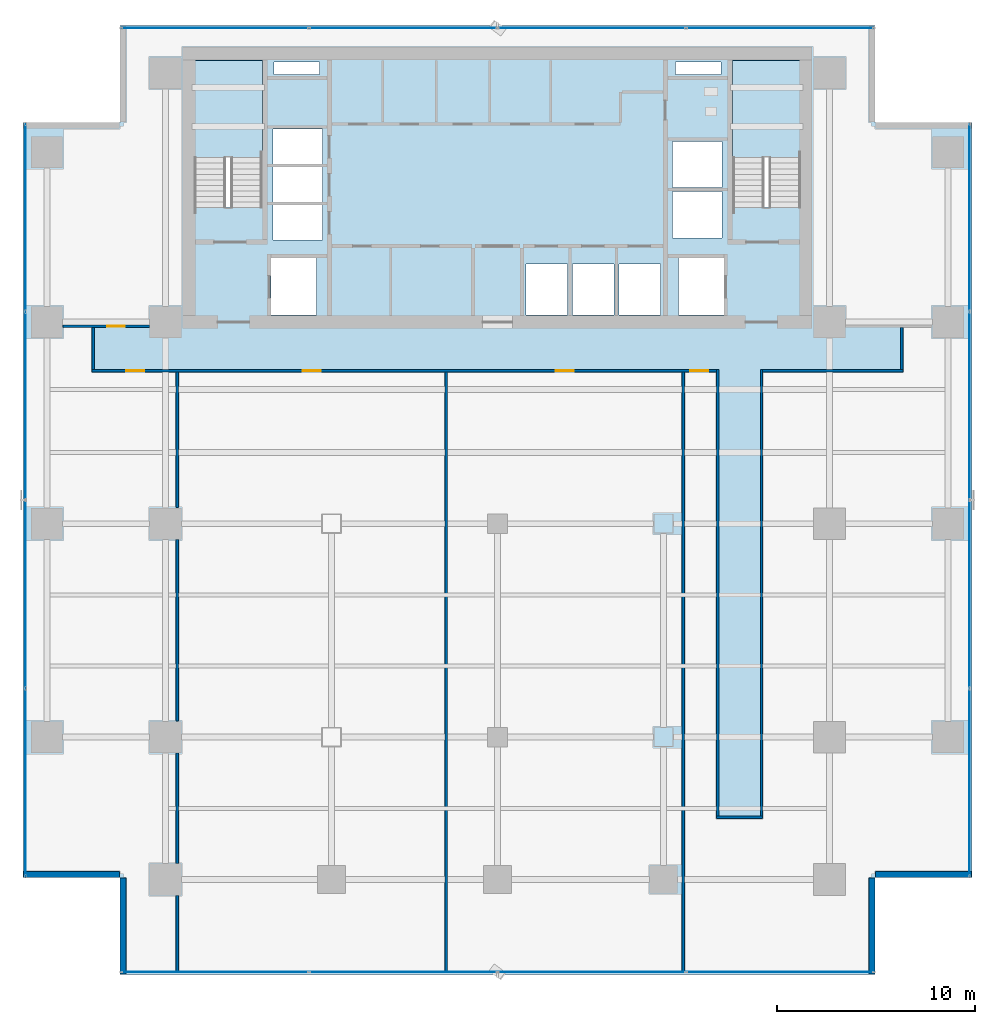
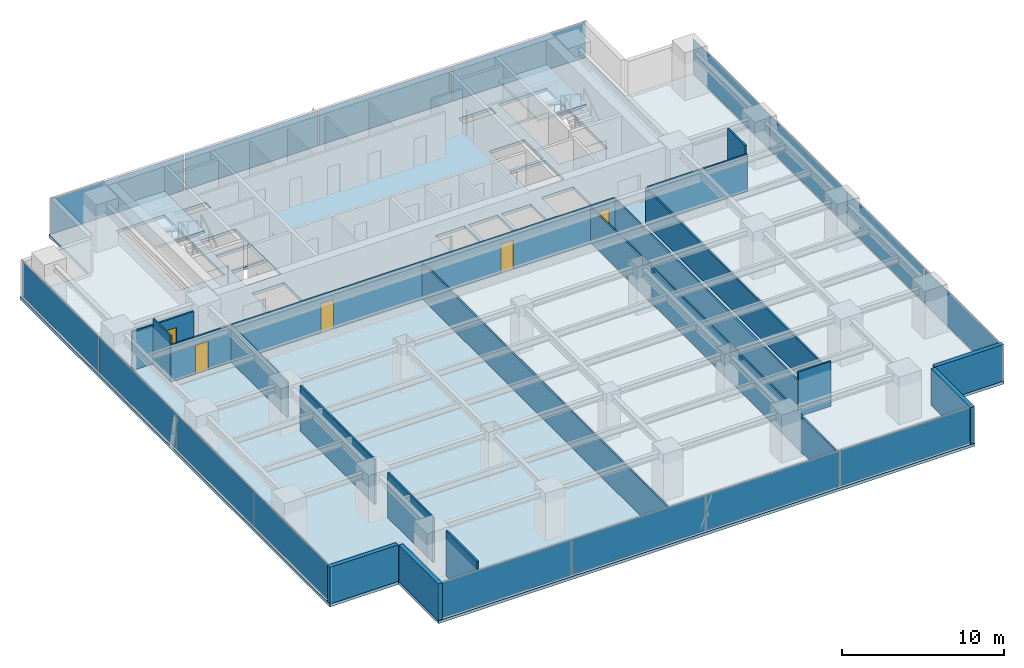
# One storey, part 20 of 27: 18 walls, 16 plates, 5 doors, 3 slabs, 5 openings, 6 elements without a shape of their own.
"""IFC4 building model written with IfcOpenShell, lengths in metres."""

from ifc_helpers import new_model, si_unit, direction, frame, frame_2d, origin, origin_2d, place, context, subcontext, project, spatial, polyline, rectangle, outline, extrude, source, transform, mapped, material, layer, layer_set, type_object, element, fill, aggregate, save


model = new_model("IFC4")

# Units and contexts
model_context = context("Model", 3, precision=1e-05, world=origin(), true_north=direction((0.0, 1.0)))
body_context = subcontext(model_context, "Body", "Model", "MODEL_VIEW")
ifc_project = project(units=[si_unit("LENGTHUNIT", "METRE"), si_unit("AREAUNIT", "SQUARE_METRE"), si_unit("VOLUMEUNIT", "CUBIC_METRE"), si_unit("PLANEANGLEUNIT", "RADIAN"), si_unit("MASSUNIT", "GRAM", prefix="KILO")], contexts=[model_context])

# Site, building, storey
site_placement = place(None, origin())
site = spatial("IfcSite", under=ifc_project, at=site_placement, CompositionType="ELEMENT")
building_placement = place(site_placement, origin())
building = spatial("IfcBuilding", under=site, at=building_placement, Name="Sumidabori Civic Tower", CompositionType="ELEMENT")
storey_placement = place(building_placement, frame((0.0, 0.0, 135.199951171875)))
storey = spatial("IfcBuildingStorey", under=building, at=storey_placement, Name="L34", CompositionType="ELEMENT", Elevation=135.199951171875)

# Stair, slab
ifc_material_1 = material(Name="Concrete C40/50", Category="concrete")
stair_type = type_object("IfcStairType", Name="ST-CORE-1600", PredefinedType="HALF_TURN_STAIR", material=ifc_material_1)
stair_1_placement = place(storey_placement, origin())
stair_1 = element("IfcStair", 1, at=stair_1_placement, inside=storey, type_object=stair_type, Name="L34 ST-1", PredefinedType="HALF_TURN_STAIR")
ifc_layer_1 = layer(ifc_material_1, 0.199951171875, Name="Concrete C40/50")
ifc_layer_set_1 = layer_set([ifc_layer_1], Name="Concrete C40/50")
slab_type_1 = type_object("IfcSlabType", Name="SL-LAND-200", PredefinedType="LANDING", material=ifc_layer_set_1)
slab_1_placement = place(storey_placement, frame((0.0, 0.0, 1.60009765625)))
slab_1 = element("IfcSlab", 2, at=slab_1_placement, type_object=slab_type_1, Name="ST-1 landing 1", PredefinedType="LANDING", context=body_context, shape_type="SweptSolid", body=[
    extrude(outline(polyline([(-11.89990234375, 18.52001953125), (-11.89990234375, 23.449951171875), (-15.340087890625, 23.449951171875), (-15.340087890625, 18.52001953125), (-11.89990234375, 18.52001953125)])), origin(), (0.0, 0.0, 1.0), 0.199951171875),
])
aggregate(stair_1, [slab_1])

stair_2_placement = place(storey_placement, origin())
stair_2 = element("IfcStair", 3, at=stair_2_placement, inside=storey, type_object=stair_type, Name="L34 ST-2", PredefinedType="HALF_TURN_STAIR")
slab_2_placement = place(storey_placement, frame((0.0, 0.0, 1.60009765625)))
slab_2 = element("IfcSlab", 4, at=slab_2_placement, type_object=slab_type_1, Name="ST-2 landing 1", PredefinedType="LANDING", context=body_context, shape_type="SweptSolid", body=[
    extrude(outline(polyline([(15.340087890625, 18.52001953125), (15.340087890625, 23.449951171875), (11.89990234375, 23.449951171875), (11.89990234375, 18.52001953125), (15.340087890625, 18.52001953125)])), origin(), (0.0, 0.0, 1.0), 0.199951171875),
])
aggregate(stair_2, [slab_2])

# Slab
ifc_layer_2 = layer(ifc_material_1, 0.219970703125, Name="Concrete C40/50")
ifc_layer_set_2 = layer_set([ifc_layer_2], Name="Concrete C40/50")
slab_type_2 = type_object("IfcSlabType", Name="SL-Z3-220", PredefinedType="FLOOR", material=ifc_layer_set_2)
slab_3_placement = place(storey_placement, frame((0.0, 0.0, -0.219970703125)))
element("IfcSlab", 5, at=slab_3_placement, inside=storey, type_object=slab_type_2, Name="Structural Slab L34", PredefinedType="FLOOR", context=body_context, shape_type="SweptSolid", body=[
    extrude(outline(polyline([(-19.10009765625, -22.800048828125), (19.10009765625, -22.800048828125), (19.10009765625, -17.89990234375), (24.0, -17.89990234375), (24.0, 20.300048828125), (19.10009765625, 20.300048828125), (19.10009765625, 25.199951171875), (-19.10009765625, 25.199951171875), (-19.10009765625, 20.300048828125), (-24.0, 20.300048828125), (-24.0, -17.89990234375), (-19.10009765625, -17.89990234375), (-19.10009765625, -22.800048828125)]), holes=[polyline([(-11.89990234375, 16.0), (-11.89990234375, 23.449951171875), (-15.340087890625, 23.449951171875), (-15.340087890625, 16.0), (-11.89990234375, 16.0)]), polyline([(15.340087890625, 16.0), (15.340087890625, 23.449951171875), (11.89990234375, 23.449951171875), (11.89990234375, 16.0), (15.340087890625, 16.0)]), polyline([(-11.449951171875, 10.550048828125), (-9.14990234375, 10.550048828125), (-9.14990234375, 13.449951171875), (-11.449951171875, 13.449951171875), (-11.449951171875, 10.550048828125)]), polyline([(9.14990234375, 10.550048828125), (11.449951171875, 10.550048828125), (11.449951171875, 13.449951171875), (9.14990234375, 13.449951171875), (9.14990234375, 10.550048828125)]), polyline([(1.449951171875, 10.550048828125), (3.550048828125, 10.550048828125), (3.550048828125, 13.14990234375), (1.449951171875, 13.14990234375), (1.449951171875, 10.550048828125)]), polyline([(3.800048828125, 10.550048828125), (5.89990234375, 10.550048828125), (5.89990234375, 13.14990234375), (3.800048828125, 13.14990234375), (3.800048828125, 10.550048828125)]), polyline([(6.14990234375, 10.550048828125), (8.25, 10.550048828125), (8.25, 13.14990234375), (6.14990234375, 13.14990234375), (6.14990234375, 10.550048828125)]), polyline([(-11.35009765625, 14.35009765625), (-8.85009765625, 14.35009765625), (-8.85009765625, 16.1201171875), (-11.35009765625, 16.1201171875), (-11.35009765625, 14.35009765625)]), polyline([(-11.35009765625, 16.27001953125), (-8.85009765625, 16.27001953125), (-8.85009765625, 18.0400390625), (-11.35009765625, 18.0400390625), (-11.35009765625, 16.27001953125)]), polyline([(-11.35009765625, 18.18994140625), (-8.85009765625, 18.18994140625), (-8.85009765625, 19.9599609375), (-11.35009765625, 19.9599609375), (-11.35009765625, 18.18994140625)]), polyline([(8.85009765625, 14.449951171875), (11.35009765625, 14.449951171875), (11.35009765625, 16.800048828125), (8.85009765625, 16.800048828125), (8.85009765625, 14.449951171875)]), polyline([(8.85009765625, 17.0), (11.35009765625, 17.0), (11.35009765625, 19.35009765625), (8.85009765625, 19.35009765625), (8.85009765625, 17.0)]), polyline([(-11.300048828125, 22.719970703125), (-9.0, 22.719970703125), (-9.0, 23.35009765625), (-11.300048828125, 23.35009765625), (-11.300048828125, 22.719970703125)]), polyline([(9.0, 22.719970703125), (11.300048828125, 22.719970703125), (11.300048828125, 23.35009765625), (9.0, 23.35009765625), (9.0, 22.719970703125)])]), origin(), (0.0, 0.0, 1.0), 0.219970703125),
])

# Curtain wall, plates
ifc_material_2 = material(Name="Anodised Bronze Aluminium AW-6063-T6", Category="aluminium")
ifc_layer_3 = layer(ifc_material_2, 0.179931640625, Name="Anodised Bronze Aluminium AW-6063-T6")
ifc_layer_set_3 = layer_set([ifc_layer_3], Name="Anodised Bronze Aluminium AW-6063-T6")
curtain_wall_type = type_object("IfcCurtainWallType", Name="CW-SYS-3", PredefinedType="NOTDEFINED", material=ifc_layer_set_3)
curtain_wall_1_placement = place(storey_placement, origin())
curtain_wall_1 = element("IfcCurtainWall", 6, at=curtain_wall_1_placement, inside=storey, type_object=curtain_wall_type, Name="Curtain Wall CW:L34:R01", PredefinedType="NOTDEFINED")
ifc_material_3 = material(Name="Low-E Solar-Control Vision Glazing", Category="glass")
ifc_layer_4 = layer(ifc_material_3, 0.028076171875, Name="Low-E Solar-Control Vision Glazing")
ifc_layer_set_4 = layer_set([ifc_layer_4], Name="Low-E Solar-Control Vision Glazing")
plate_type = type_object("IfcPlateType", Name="CW-PNL-28", PredefinedType="CURTAIN_PANEL", material=ifc_layer_set_4)
shared_shape_1 = source(origin(), body_context, "Body", "SweptSolid", [
    extrude(rectangle(XDim=9.4375, YDim=0.028076171875, at=origin_2d()), origin(), (0.0, 0.0, 1.0), 2.639892578125),
])
plate_1_placement = place(storey_placement, frame((-14.2861328125, -22.679931640625, 0.06005859375), z_axis=(0.0, 0.0, 1.0), x_axis=(1.0, 0.0, 0.0)))
plate_1 = element("IfcPlate", 7, at=plate_1_placement, type_object=plate_type, Name="CW-3 panel 1.1", PredefinedType="CURTAIN_PANEL", context=body_context, shape_type="MappedRepresentation", body=[
    mapped(shared_shape_1, transform((0.0, 0.0, 0.0), x_axis=(1.0, 0.0, 0.0), y_axis=(0.0, 1.0, 0.0), z_axis=(0.0, 0.0, 1.0), scale=1.0)),
])
plate_2_placement = place(storey_placement, frame((14.2861328125, -22.679931640625, 0.06005859375), z_axis=(0.0, 0.0, 1.0), x_axis=(1.0, 0.0, 0.0)))
plate_2 = element("IfcPlate", 8, at=plate_2_placement, type_object=plate_type, Name="CW-3 panel 4.1", PredefinedType="CURTAIN_PANEL", context=body_context, shape_type="MappedRepresentation", body=[
    mapped(shared_shape_1, transform((0.0, 0.0, 0.0), x_axis=(1.0, 0.0, 0.0), y_axis=(0.0, 1.0, 0.0), z_axis=(0.0, 0.0, 1.0), scale=1.0)),
])

curtain_wall_2_placement = place(storey_placement, origin())
curtain_wall_2 = element("IfcCurtainWall", 9, at=curtain_wall_2_placement, inside=storey, type_object=curtain_wall_type, Name="Curtain Wall CW:L34:R04", PredefinedType="NOTDEFINED")
plate_3_placement = place(storey_placement, frame((23.8798828125, -13.086181640625, 0.06005859375), z_axis=(0.0, 0.0, 1.0), x_axis=(0.0, 1.0, 0.0)))
plate_3 = element("IfcPlate", 10, at=plate_3_placement, type_object=plate_type, Name="CW-3 panel 1.1", PredefinedType="CURTAIN_PANEL", context=body_context, shape_type="MappedRepresentation", body=[
    mapped(shared_shape_1, transform((0.0, 0.0, 0.0), x_axis=(1.0, 0.0, 0.0), y_axis=(0.0, 1.0, 0.0), z_axis=(0.0, 0.0, 1.0), scale=1.0)),
])
plate_4_placement = place(storey_placement, frame((23.8798828125, 15.486328125, 0.06005859375), z_axis=(0.0, 0.0, 1.0), x_axis=(0.0, 1.0, 0.0)))
plate_4 = element("IfcPlate", 11, at=plate_4_placement, type_object=plate_type, Name="CW-3 panel 4.1", PredefinedType="CURTAIN_PANEL", context=body_context, shape_type="MappedRepresentation", body=[
    mapped(shared_shape_1, transform((0.0, 0.0, 0.0), x_axis=(1.0, 0.0, 0.0), y_axis=(0.0, 1.0, 0.0), z_axis=(0.0, 0.0, 1.0), scale=1.0)),
])

curtain_wall_3_placement = place(storey_placement, origin())
curtain_wall_3 = element("IfcCurtainWall", 12, at=curtain_wall_3_placement, inside=storey, type_object=curtain_wall_type, Name="Curtain Wall CW:L34:R07", PredefinedType="NOTDEFINED")
plate_5_placement = place(storey_placement, frame((14.2861328125, 25.080078125, 0.06005859375), z_axis=(0.0, 0.0, 1.0), x_axis=(-1.0, 0.0, 0.0)))
plate_5 = element("IfcPlate", 13, at=plate_5_placement, type_object=plate_type, Name="CW-3 panel 1.1", PredefinedType="CURTAIN_PANEL", context=body_context, shape_type="MappedRepresentation", body=[
    mapped(shared_shape_1, transform((0.0, 0.0, 0.0), x_axis=(1.0, 0.0, 0.0), y_axis=(0.0, 1.0, 0.0), z_axis=(0.0, 0.0, 1.0), scale=1.0)),
])
plate_6_placement = place(storey_placement, frame((-14.2861328125, 25.080078125, 0.06005859375), z_axis=(0.0, 0.0, 1.0), x_axis=(-1.0, 0.0, 0.0)))
plate_6 = element("IfcPlate", 14, at=plate_6_placement, type_object=plate_type, Name="CW-3 panel 4.1", PredefinedType="CURTAIN_PANEL", context=body_context, shape_type="MappedRepresentation", body=[
    mapped(shared_shape_1, transform((0.0, 0.0, 0.0), x_axis=(1.0, 0.0, 0.0), y_axis=(0.0, 1.0, 0.0), z_axis=(0.0, 0.0, 1.0), scale=1.0)),
])

curtain_wall_4_placement = place(storey_placement, origin())
curtain_wall_4 = element("IfcCurtainWall", 15, at=curtain_wall_4_placement, inside=storey, type_object=curtain_wall_type, Name="Curtain Wall CW:L34:R10", PredefinedType="NOTDEFINED")
plate_7_placement = place(storey_placement, frame((-23.8798828125, 15.486328125, 0.06005859375), z_axis=(0.0, 0.0, 1.0), x_axis=(0.0, -1.0, 0.0)))
plate_7 = element("IfcPlate", 16, at=plate_7_placement, type_object=plate_type, Name="CW-3 panel 1.1", PredefinedType="CURTAIN_PANEL", context=body_context, shape_type="MappedRepresentation", body=[
    mapped(shared_shape_1, transform((0.0, 0.0, 0.0), x_axis=(1.0, 0.0, 0.0), y_axis=(0.0, 1.0, 0.0), z_axis=(0.0, 0.0, 1.0), scale=1.0)),
])
plate_8_placement = place(storey_placement, frame((-23.8798828125, -13.086181640625, 0.06005859375), z_axis=(0.0, 0.0, 1.0), x_axis=(0.0, -1.0, 0.0)))
plate_8 = element("IfcPlate", 17, at=plate_8_placement, type_object=plate_type, Name="CW-3 panel 4.1", PredefinedType="CURTAIN_PANEL", context=body_context, shape_type="MappedRepresentation", body=[
    mapped(shared_shape_1, transform((0.0, 0.0, 0.0), x_axis=(1.0, 0.0, 0.0), y_axis=(0.0, 1.0, 0.0), z_axis=(0.0, 0.0, 1.0), scale=1.0)),
])

# Plate
shared_shape_2 = source(origin(), body_context, "Body", "SweptSolid", [
    extrude(rectangle(XDim=9.469970703125, YDim=0.028076171875, at=origin_2d()), origin(), (0.0, 0.0, 1.0), 2.639892578125),
])
plate_9_placement = place(storey_placement, frame((-4.767578125, -22.679931640625, 0.06005859375), z_axis=(0.0, 0.0, 1.0), x_axis=(1.0, 0.0, 0.0)))
plate_9 = element("IfcPlate", 18, at=plate_9_placement, type_object=plate_type, Name="CW-3 panel 2.1", PredefinedType="CURTAIN_PANEL", context=body_context, shape_type="MappedRepresentation", body=[
    mapped(shared_shape_2, transform((0.0, 0.0, 0.0), x_axis=(1.0, 0.0, 0.0), y_axis=(0.0, 1.0, 0.0), z_axis=(0.0, 0.0, 1.0), scale=1.0)),
])

plate_10_placement = place(storey_placement, frame((4.767578125, -22.679931640625, 0.06005859375), z_axis=(0.0, 0.0, 1.0), x_axis=(1.0, 0.0, 0.0)))
plate_10 = element("IfcPlate", 19, at=plate_10_placement, type_object=plate_type, Name="CW-3 panel 3.1", PredefinedType="CURTAIN_PANEL", context=body_context, shape_type="MappedRepresentation", body=[
    mapped(shared_shape_2, transform((0.0, 0.0, 0.0), x_axis=(1.0, 0.0, 0.0), y_axis=(0.0, 1.0, 0.0), z_axis=(0.0, 0.0, 1.0), scale=1.0)),
])

aggregate(curtain_wall_1, [plate_1, plate_9, plate_10, plate_2])

plate_11_placement = place(storey_placement, frame((23.8798828125, -3.5673828125, 0.06005859375), z_axis=(0.0, 0.0, 1.0), x_axis=(0.0, 1.0, 0.0)))
plate_11 = element("IfcPlate", 20, at=plate_11_placement, type_object=plate_type, Name="CW-3 panel 2.1", PredefinedType="CURTAIN_PANEL", context=body_context, shape_type="MappedRepresentation", body=[
    mapped(shared_shape_2, transform((0.0, 0.0, 0.0), x_axis=(1.0, 0.0, 0.0), y_axis=(0.0, 1.0, 0.0), z_axis=(0.0, 0.0, 1.0), scale=1.0)),
])

plate_12_placement = place(storey_placement, frame((23.8798828125, 5.967529296875, 0.06005859375), z_axis=(0.0, 0.0, 1.0), x_axis=(0.0, 1.0, 0.0)))
plate_12 = element("IfcPlate", 21, at=plate_12_placement, type_object=plate_type, Name="CW-3 panel 3.1", PredefinedType="CURTAIN_PANEL", context=body_context, shape_type="MappedRepresentation", body=[
    mapped(shared_shape_2, transform((0.0, 0.0, 0.0), x_axis=(1.0, 0.0, 0.0), y_axis=(0.0, 1.0, 0.0), z_axis=(0.0, 0.0, 1.0), scale=1.0)),
])

aggregate(curtain_wall_2, [plate_3, plate_11, plate_12, plate_4])

plate_13_placement = place(storey_placement, frame((4.767578125, 25.080078125, 0.06005859375), z_axis=(0.0, 0.0, 1.0), x_axis=(-1.0, 0.0, 0.0)))
plate_13 = element("IfcPlate", 22, at=plate_13_placement, type_object=plate_type, Name="CW-3 panel 2.1", PredefinedType="CURTAIN_PANEL", context=body_context, shape_type="MappedRepresentation", body=[
    mapped(shared_shape_2, transform((0.0, 0.0, 0.0), x_axis=(1.0, 0.0, 0.0), y_axis=(0.0, 1.0, 0.0), z_axis=(0.0, 0.0, 1.0), scale=1.0)),
])

plate_14_placement = place(storey_placement, frame((-4.767578125, 25.080078125, 0.06005859375), z_axis=(0.0, 0.0, 1.0), x_axis=(-1.0, 0.0, 0.0)))
plate_14 = element("IfcPlate", 23, at=plate_14_placement, type_object=plate_type, Name="CW-3 panel 3.1", PredefinedType="CURTAIN_PANEL", context=body_context, shape_type="MappedRepresentation", body=[
    mapped(shared_shape_2, transform((0.0, 0.0, 0.0), x_axis=(1.0, 0.0, 0.0), y_axis=(0.0, 1.0, 0.0), z_axis=(0.0, 0.0, 1.0), scale=1.0)),
])

aggregate(curtain_wall_3, [plate_5, plate_13, plate_14, plate_6])

plate_15_placement = place(storey_placement, frame((-23.8798828125, 5.967529296875, 0.06005859375), z_axis=(0.0, 0.0, 1.0), x_axis=(0.0, -1.0, 0.0)))
plate_15 = element("IfcPlate", 24, at=plate_15_placement, type_object=plate_type, Name="CW-3 panel 2.1", PredefinedType="CURTAIN_PANEL", context=body_context, shape_type="MappedRepresentation", body=[
    mapped(shared_shape_2, transform((0.0, 0.0, 0.0), x_axis=(1.0, 0.0, 0.0), y_axis=(0.0, 1.0, 0.0), z_axis=(0.0, 0.0, 1.0), scale=1.0)),
])

plate_16_placement = place(storey_placement, frame((-23.8798828125, -3.5673828125, 0.06005859375), z_axis=(0.0, 0.0, 1.0), x_axis=(0.0, -1.0, 0.0)))
plate_16 = element("IfcPlate", 25, at=plate_16_placement, type_object=plate_type, Name="CW-3 panel 3.1", PredefinedType="CURTAIN_PANEL", context=body_context, shape_type="MappedRepresentation", body=[
    mapped(shared_shape_2, transform((0.0, 0.0, 0.0), x_axis=(1.0, 0.0, 0.0), y_axis=(0.0, 1.0, 0.0), z_axis=(0.0, 0.0, 1.0), scale=1.0)),
])

aggregate(curtain_wall_4, [plate_7, plate_15, plate_16, plate_8])

# Walls
ifc_material_4 = material(Name="Precast concrete C40/50", Category="concrete")
ifc_layer_5 = layer(ifc_material_4, 0.300048828125, Name="Precast concrete C40/50")
ifc_layer_set_5 = layer_set([ifc_layer_5], Name="Precast concrete C40/50")
wall_type_1 = type_object("IfcWallType", Name="WL-EXT-POD300", PredefinedType="STANDARD", material=ifc_layer_set_5)
shared_shape_3 = source(origin(), body_context, "Body", "SweptSolid", [
    extrude(rectangle(XDim=4.860107421875, YDim=0.300048828125, at=frame_2d((2.43017578125, 0.0))), origin(), (0.0, 0.0, 1.0), 2.760009765625),
])
for number, where, z_axis, x_axis, name in (
    (26, (18.949951171875, -22.780029296875, 0.0), (0.0, 0.0, 1.0), (0.0, 1.0, 0.0), "Notched Corner Spandrel Band L34-02"),
    (27, (-18.949951171875, -17.919921875, 0.0), (0.0, 0.0, 1.0), (0.0, -1.0, 0.0), "Notched Corner Spandrel Band L34-12"),
):
    element("IfcWall", number, at=place(storey_placement, frame(where, z_axis=z_axis, x_axis=x_axis)), inside=storey, type_object=wall_type_1, Name=name, PredefinedType="STANDARD", context=body_context, shape_type="MappedRepresentation", body=[
        mapped(shared_shape_3, transform((0.0, 0.0, 0.0), x_axis=(1.0, 0.0, 0.0), y_axis=(0.0, 1.0, 0.0), z_axis=(0.0, 0.0, 1.0), scale=1.0)),
    ])
shared_shape_4 = source(origin(), body_context, "Body", "SweptSolid", [
    extrude(rectangle(XDim=4.85986328125, YDim=0.300048828125, at=frame_2d((2.429931640625, 0.0))), origin(), (0.0, 0.0, 1.0), 2.760009765625),
])
for number, where, z_axis, x_axis, name in (
    (28, (19.1201171875, -17.75, 0.0), (0.0, 0.0, 1.0), (1.0, 0.0, 0.0), "Notched Corner Spandrel Band L34-03"),
    (29, (-23.97998046875, -17.75, 0.0), (0.0, 0.0, 1.0), (1.0, 0.0, 0.0), "Notched Corner Spandrel Band L34-11"),
):
    element("IfcWall", number, at=place(storey_placement, frame(where, z_axis=z_axis, x_axis=x_axis)), inside=storey, type_object=wall_type_1, Name=name, PredefinedType="STANDARD", context=body_context, shape_type="MappedRepresentation", body=[
        mapped(shared_shape_4, transform((0.0, 0.0, 0.0), x_axis=(1.0, 0.0, 0.0), y_axis=(0.0, 1.0, 0.0), z_axis=(0.0, 0.0, 1.0), scale=1.0)),
    ])

# Wall, opening, door
ifc_material_5 = material(Name="Gypsum Plasterboard Acoustic Partition")
ifc_layer_6 = layer(ifc_material_5, 0.1201171875, Name="Gypsum Plasterboard Acoustic Partition")
ifc_layer_set_6 = layer_set([ifc_layer_6], Name="Gypsum Plasterboard Acoustic Partition")
wall_type_2 = type_object("IfcWallType", Name="WL-PART-120", PredefinedType="PARTITIONING", material=ifc_layer_set_6)
shared_shape_5 = source(origin(), body_context, "Body", "SweptSolid", [
    extrude(rectangle(XDim=4.3798828125, YDim=0.1201171875, at=frame_2d((2.18994140625, 0.0))), origin(), (0.0, 0.0, 1.0), 2.9150390625),
])
wall_1_placement = place(storey_placement, frame((-21.989990234375, 10.0, 0.0), z_axis=(0.0, 0.0, 1.0), x_axis=(1.0, 0.0, 0.0)))
wall_1 = element("IfcWall", 30, at=wall_1_placement, inside=storey, type_object=wall_type_2, Name="Interior Partition WL:L34:FLK-NW", PredefinedType="PARTITIONING", context=body_context, shape_type="MappedRepresentation", body=[
    mapped(shared_shape_5, transform((0.0, 0.0, 0.0), x_axis=(1.0, 0.0, 0.0), y_axis=(0.0, 1.0, 0.0), z_axis=(0.0, 0.0, 1.0), scale=1.0)),
])
opening_1_placement = place(wall_1_placement, frame((2.235107421875, 0.0, 0.0)))
opening_1 = element("IfcOpeningElement", 31, at=opening_1_placement, cuts=wall_1, Name="Opening DR-1", PredefinedType="OPENING", context=body_context, shape_type="SweptSolid", body=[
    extrude(rectangle(XDim=0.89990234375, YDim=2.14990234375, at=frame_2d((0.449951171875, 1.074951171875))), frame((0.0, 0.072021484375, 0.0), z_axis=(0.0, -1.0, 0.0), x_axis=(1.0, 0.0, 0.0)), (0.0, 0.0, 1.0), 0.14404296875),
])
ifc_material_6 = material(Name="Japanese Hinoki Timber", Category="wood")
door_type = type_object("IfcDoorType", Name="DR-INT-900", OperationType="NOTDEFINED", PredefinedType="DOOR", material=ifc_material_6)
shared_shape_6 = source(origin(), body_context, "Body", "SweptSolid", [
    extrude(rectangle(XDim=0.89990234375, YDim=2.14990234375, at=frame_2d((0.449951171875, 1.074951171875))), frame((0.0, 0.02490234375, 0.0), z_axis=(0.0, -1.0, 0.0), x_axis=(1.0, 0.0, 0.0)), (0.0, 0.0, 1.0), 0.050048828125),
])
door_1_placement = place(opening_1_placement, origin())
door_1 = element("IfcDoor", 32, at=door_1_placement, inside=storey, type_object=door_type, Name="Door DR:L34:FLK-NW", OperationType="SINGLE_SWING_LEFT", OverallHeight=2.14990234375, OverallWidth=0.89990234375, PredefinedType="DOOR", context=body_context, shape_type="MappedRepresentation", body=[
    mapped(shared_shape_6, transform((0.0, 0.0, 0.0), x_axis=(1.0, 0.0, 0.0), y_axis=(0.0, 1.0, 0.0), z_axis=(0.0, 0.0, 1.0), scale=1.0)),
])
fill(opening_1, door_1)

# Wall, openings, doors
shared_shape_7 = source(origin(), body_context, "Body", "SweptSolid", [
    extrude(rectangle(XDim=31.60009765625, YDim=0.1201171875, at=frame_2d((15.800048828125, 0.0))), origin(), (0.0, 0.0, 1.0), 2.76513671875),
])
wall_2_placement = place(storey_placement, frame((-20.52001953125, 7.739990234375, 0.0), z_axis=(0.0, 0.0, 1.0), x_axis=(1.0, 0.0, 0.0)))
wall_2 = element("IfcWall", 33, at=wall_2_placement, inside=storey, type_object=wall_type_2, Name="Interior Partition WL:L34:CORR-SW", PredefinedType="PARTITIONING", context=body_context, shape_type="MappedRepresentation", body=[
    mapped(shared_shape_7, transform((0.0, 0.0, 0.0), x_axis=(1.0, 0.0, 0.0), y_axis=(0.0, 1.0, 0.0), z_axis=(0.0, 0.0, 1.0), scale=1.0)),
])
opening_2_placement = place(wall_2_placement, frame((1.739990234375, 0.0, 0.0)))
opening_2 = element("IfcOpeningElement", 34, at=opening_2_placement, cuts=wall_2, Name="Opening DR-1", PredefinedType="OPENING", context=body_context, shape_type="SweptSolid", body=[
    extrude(rectangle(XDim=0.89990234375, YDim=2.14990234375, at=frame_2d((0.449951171875, 1.074951171875))), frame((0.0, 0.072021484375, 0.0), z_axis=(0.0, -1.0, 0.0), x_axis=(1.0, 0.0, 0.0)), (0.0, 0.0, 1.0), 0.14404296875),
])
opening_3_placement = place(wall_2_placement, frame((30.280029296875, 0.0, 0.0)))
opening_3 = element("IfcOpeningElement", 35, at=opening_3_placement, cuts=wall_2, Name="Opening DR-1", PredefinedType="OPENING", context=body_context, shape_type="SweptSolid", body=[
    extrude(rectangle(XDim=0.89990234375, YDim=2.14990234375, at=frame_2d((0.449951171875, 1.074951171875))), frame((0.0, 0.072021484375, 0.0), z_axis=(0.0, -1.0, 0.0), x_axis=(1.0, 0.0, 0.0)), (0.0, 0.0, 1.0), 0.14404296875),
])
opening_4_placement = place(wall_2_placement, frame((10.669921875, 0.0, 0.0)))
opening_4 = element("IfcOpeningElement", 36, at=opening_4_placement, cuts=wall_2, Name="Opening DR-1", PredefinedType="OPENING", context=body_context, shape_type="SweptSolid", body=[
    extrude(rectangle(XDim=0.89990234375, YDim=2.14990234375, at=frame_2d((0.449951171875, 1.074951171875))), frame((0.0, 0.072021484375, 0.0), z_axis=(0.0, -1.0, 0.0), x_axis=(1.0, 0.0, 0.0)), (0.0, 0.0, 1.0), 0.14404296875),
])
opening_5_placement = place(wall_2_placement, frame((23.469970703125, 0.0, 0.0)))
opening_5 = element("IfcOpeningElement", 37, at=opening_5_placement, cuts=wall_2, Name="Opening DR-1", PredefinedType="OPENING", context=body_context, shape_type="SweptSolid", body=[
    extrude(rectangle(XDim=0.89990234375, YDim=2.14990234375, at=frame_2d((0.449951171875, 1.074951171875))), frame((0.0, 0.072021484375, 0.0), z_axis=(0.0, -1.0, 0.0), x_axis=(1.0, 0.0, 0.0)), (0.0, 0.0, 1.0), 0.14404296875),
])
door_2_placement = place(opening_2_placement, origin())
door_2 = element("IfcDoor", 38, at=door_2_placement, inside=storey, type_object=door_type, Name="Door DR:L34:D02", OperationType="SINGLE_SWING_RIGHT", OverallHeight=2.14990234375, OverallWidth=0.89990234375, PredefinedType="DOOR", context=body_context, shape_type="MappedRepresentation", body=[
    mapped(shared_shape_6, transform((0.0, 0.0, 0.0), x_axis=(1.0, 0.0, 0.0), y_axis=(0.0, 1.0, 0.0), z_axis=(0.0, 0.0, 1.0), scale=1.0)),
])
fill(opening_2, door_2)
door_3_placement = place(opening_3_placement, origin())
door_3 = element("IfcDoor", 39, at=door_3_placement, inside=storey, type_object=door_type, Name="Door DR:L34:D03", OperationType="SINGLE_SWING_LEFT", OverallHeight=2.14990234375, OverallWidth=0.89990234375, PredefinedType="DOOR", context=body_context, shape_type="MappedRepresentation", body=[
    mapped(shared_shape_6, transform((0.0, 0.0, 0.0), x_axis=(1.0, 0.0, 0.0), y_axis=(0.0, 1.0, 0.0), z_axis=(0.0, 0.0, 1.0), scale=1.0)),
])
fill(opening_3, door_3)
door_4_placement = place(opening_4_placement, origin())
door_4 = element("IfcDoor", 40, at=door_4_placement, inside=storey, type_object=door_type, Name="Door DR:L34:D04", OperationType="SINGLE_SWING_RIGHT", OverallHeight=2.14990234375, OverallWidth=0.89990234375, PredefinedType="DOOR", context=body_context, shape_type="MappedRepresentation", body=[
    mapped(shared_shape_6, transform((0.0, 0.0, 0.0), x_axis=(1.0, 0.0, 0.0), y_axis=(0.0, 1.0, 0.0), z_axis=(0.0, 0.0, 1.0), scale=1.0)),
])
fill(opening_4, door_4)
door_5_placement = place(opening_5_placement, origin())
door_5 = element("IfcDoor", 41, at=door_5_placement, inside=storey, type_object=door_type, Name="Door DR:L34:D05", OperationType="SINGLE_SWING_LEFT", OverallHeight=2.14990234375, OverallWidth=0.89990234375, PredefinedType="DOOR", context=body_context, shape_type="MappedRepresentation", body=[
    mapped(shared_shape_6, transform((0.0, 0.0, 0.0), x_axis=(1.0, 0.0, 0.0), y_axis=(0.0, 1.0, 0.0), z_axis=(0.0, 0.0, 1.0), scale=1.0)),
])
fill(opening_5, door_5)

# Walls
shared_shape_8 = source(origin(), body_context, "Body", "SweptSolid", [
    extrude(rectangle(XDim=7.10009765625, YDim=0.1201171875, at=frame_2d((3.550048828125, 0.0))), origin(), (0.0, 0.0, 1.0), 2.76513671875),
])
wall_3_placement = place(storey_placement, frame((13.419921875, 7.739990234375, 0.0), z_axis=(0.0, 0.0, 1.0), x_axis=(1.0, 0.0, 0.0)))
element("IfcWall", 42, at=wall_3_placement, inside=storey, type_object=wall_type_2, Name="Interior Partition WL:L34:CORR-SE", PredefinedType="PARTITIONING", context=body_context, shape_type="MappedRepresentation", body=[
    mapped(shared_shape_8, transform((0.0, 0.0, 0.0), x_axis=(1.0, 0.0, 0.0), y_axis=(0.0, 1.0, 0.0), z_axis=(0.0, 0.0, 1.0), scale=1.0)),
])
shared_shape_9 = source(origin(), body_context, "Body", "SweptSolid", [
    extrude(rectangle(XDim=2.33984375, YDim=0.1201171875, at=frame_2d((1.169921875, 0.0))), origin(), (0.0, 0.0, 1.0), 3.380126953125),
])
wall_4_placement = place(storey_placement, frame((11.080078125, -14.860107421875, 0.0), z_axis=(0.0, 0.0, 1.0), x_axis=(1.0, 0.0, 0.0)))
element("IfcWall", 43, at=wall_4_placement, inside=storey, type_object=wall_type_2, Name="Interior Partition WL:L34:CORR-CAP-E", PredefinedType="PARTITIONING", context=body_context, shape_type="MappedRepresentation", body=[
    mapped(shared_shape_9, transform((0.0, 0.0, 0.0), x_axis=(1.0, 0.0, 0.0), y_axis=(0.0, 1.0, 0.0), z_axis=(0.0, 0.0, 1.0), scale=1.0)),
])
shared_shape_10 = source(origin(), body_context, "Body", "SweptSolid", [
    extrude(rectangle(XDim=2.130126953125, YDim=0.1201171875, at=frame_2d((1.06494140625, 0.0))), origin(), (0.0, 0.0, 1.0), 3.380126953125),
])
for number, where, z_axis, x_axis, name in (
    (44, (-20.4599609375, 7.804931640625, 0.0), (0.0, 0.0, 1.0), (0.0, 1.0, 0.0), "Interior Partition WL:L34:CORR-VNW"),
    (45, (20.4599609375, 7.804931640625, 0.0), (0.0, 0.0, 1.0), (0.0, 1.0, 0.0), "Interior Partition WL:L34:CORR-VNE"),
):
    element("IfcWall", number, at=place(storey_placement, frame(where, z_axis=z_axis, x_axis=x_axis)), inside=storey, type_object=wall_type_2, Name=name, PredefinedType="PARTITIONING", context=body_context, shape_type="MappedRepresentation", body=[
        mapped(shared_shape_10, transform((0.0, 0.0, 0.0), x_axis=(1.0, 0.0, 0.0), y_axis=(0.0, 1.0, 0.0), z_axis=(0.0, 0.0, 1.0), scale=1.0)),
    ])
shared_shape_11 = source(origin(), body_context, "Body", "SweptSolid", [
    extrude(rectangle(XDim=22.594970703125, YDim=0.1201171875, at=frame_2d((11.29736328125, 0.0))), origin(), (0.0, 0.0, 1.0), 2.6650390625),
])
for number, where, z_axis, x_axis, name in (
    (46, (11.139892578125, -14.794921875, 0.0), (0.0, 0.0, 1.0), (0.0, 1.0, 0.0), "Interior Partition WL:L34:CORR-VL-W"),
    (47, (13.360107421875, -14.794921875, 0.0), (0.0, 0.0, 1.0), (0.0, 1.0, 0.0), "Interior Partition WL:L34:CORR-VL-E"),
):
    element("IfcWall", number, at=place(storey_placement, frame(where, z_axis=z_axis, x_axis=x_axis)), inside=storey, type_object=wall_type_2, Name=name, PredefinedType="PARTITIONING", context=body_context, shape_type="MappedRepresentation", body=[
        mapped(shared_shape_11, transform((0.0, 0.0, 0.0), x_axis=(1.0, 0.0, 0.0), y_axis=(0.0, 1.0, 0.0), z_axis=(0.0, 0.0, 1.0), scale=1.0)),
    ])
shared_shape_12 = source(origin(), body_context, "Body", "SweptSolid", [
    extrude(rectangle(XDim=3.83984375, YDim=0.1201171875, at=frame_2d((1.919921875, 0.0))), origin(), (0.0, 0.0, 1.0), 3.380126953125),
])
wall_5_placement = place(storey_placement, frame((-16.199951171875, -22.64990234375, 0.0), z_axis=(0.0, 0.0, 1.0), x_axis=(0.0, 1.0, 0.0)))
element("IfcWall", 48, at=wall_5_placement, inside=storey, type_object=wall_type_2, Name="Interior Partition WL:L34:VX-N1-1", PredefinedType="PARTITIONING", context=body_context, shape_type="MappedRepresentation", body=[
    mapped(shared_shape_12, transform((0.0, 0.0, 0.0), x_axis=(1.0, 0.0, 0.0), y_axis=(0.0, 1.0, 0.0), z_axis=(0.0, 0.0, 1.0), scale=1.0)),
])
shared_shape_13 = source(origin(), body_context, "Body", "SweptSolid", [
    extrude(rectangle(XDim=5.579833984375, YDim=0.1201171875, at=frame_2d((2.7900390625, 0.0))), origin(), (0.0, 0.0, 1.0), 3.380126953125),
])
wall_6_placement = place(storey_placement, frame((-16.199951171875, -17.18994140625, 0.0), z_axis=(0.0, 0.0, 1.0), x_axis=(0.0, 1.0, 0.0)))
element("IfcWall", 49, at=wall_6_placement, inside=storey, type_object=wall_type_2, Name="Interior Partition WL:L34:VX-N1-2", PredefinedType="PARTITIONING", context=body_context, shape_type="MappedRepresentation", body=[
    mapped(shared_shape_13, transform((0.0, 0.0, 0.0), x_axis=(1.0, 0.0, 0.0), y_axis=(0.0, 1.0, 0.0), z_axis=(0.0, 0.0, 1.0), scale=1.0)),
])
shared_shape_14 = source(origin(), body_context, "Body", "SweptSolid", [
    extrude(rectangle(XDim=9.179931640625, YDim=0.1201171875, at=frame_2d((4.58984375, 0.0))), origin(), (0.0, 0.0, 1.0), 3.380126953125),
])
wall_7_placement = place(storey_placement, frame((-16.199951171875, -9.989990234375, 0.0), z_axis=(0.0, 0.0, 1.0), x_axis=(0.0, 1.0, 0.0)))
element("IfcWall", 50, at=wall_7_placement, inside=storey, type_object=wall_type_2, Name="Interior Partition WL:L34:VX-N1-3", PredefinedType="PARTITIONING", context=body_context, shape_type="MappedRepresentation", body=[
    mapped(shared_shape_14, transform((0.0, 0.0, 0.0), x_axis=(1.0, 0.0, 0.0), y_axis=(0.0, 1.0, 0.0), z_axis=(0.0, 0.0, 1.0), scale=1.0)),
])
shared_shape_15 = source(origin(), body_context, "Body", "SweptSolid", [
    extrude(rectangle(XDim=6.864990234375, YDim=0.1201171875, at=frame_2d((3.4326171875, 0.0))), origin(), (0.0, 0.0, 1.0), 2.6650390625),
])
wall_8_placement = place(storey_placement, frame((-16.199951171875, 0.81005859375, 0.0), z_axis=(0.0, 0.0, 1.0), x_axis=(0.0, 1.0, 0.0)))
element("IfcWall", 51, at=wall_8_placement, inside=storey, type_object=wall_type_2, Name="Interior Partition WL:L34:VX-N1-4", PredefinedType="PARTITIONING", context=body_context, shape_type="MappedRepresentation", body=[
    mapped(shared_shape_15, transform((0.0, 0.0, 0.0), x_axis=(1.0, 0.0, 0.0), y_axis=(0.0, 1.0, 0.0), z_axis=(0.0, 0.0, 1.0), scale=1.0)),
])
shared_shape_16 = source(origin(), body_context, "Body", "SweptSolid", [
    extrude(rectangle(XDim=30.324951171875, YDim=0.1201171875, at=frame_2d((15.16259765625, 0.0))), origin(), (0.0, 0.0, 1.0), 2.6650390625),
])
for number, where, z_axis, x_axis, name in (
    (52, (-2.60009765625, -22.64990234375, 0.0), (0.0, 0.0, 1.0), (0.0, 1.0, 0.0), "Interior Partition WL:L34:VX-N2"),
    (53, (9.39990234375, -22.64990234375, 0.0), (0.0, 0.0, 1.0), (0.0, 1.0, 0.0), "Interior Partition WL:L34:VX-N3"),
):
    element("IfcWall", number, at=place(storey_placement, frame(where, z_axis=z_axis, x_axis=x_axis)), inside=storey, type_object=wall_type_2, Name=name, PredefinedType="PARTITIONING", context=body_context, shape_type="MappedRepresentation", body=[
        mapped(shared_shape_16, transform((0.0, 0.0, 0.0), x_axis=(1.0, 0.0, 0.0), y_axis=(0.0, 1.0, 0.0), z_axis=(0.0, 0.0, 1.0), scale=1.0)),
    ])

save(model, "model.ifc")
